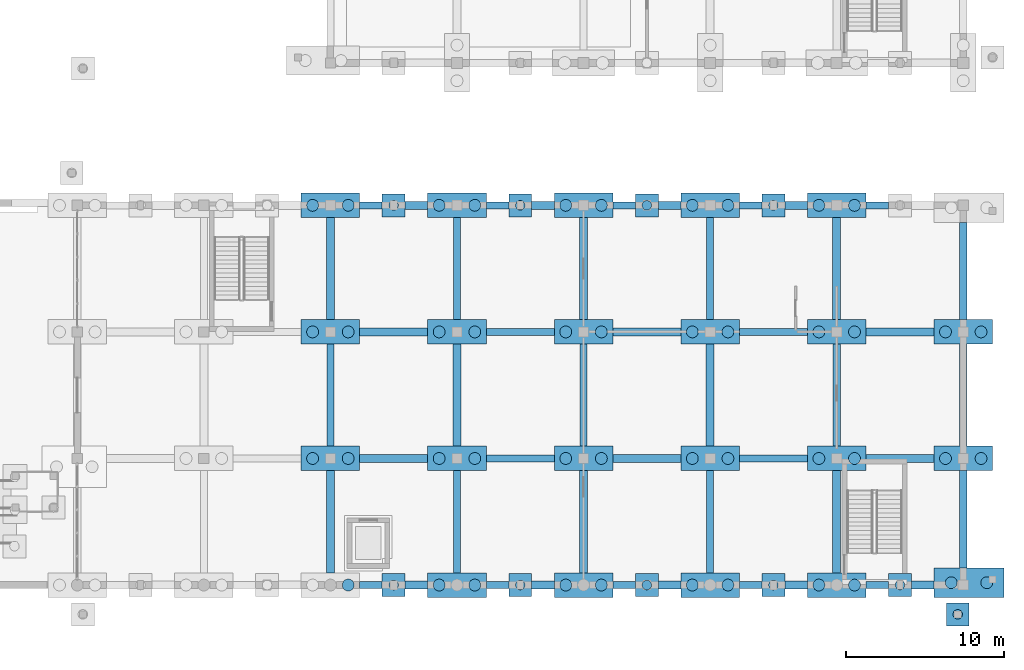
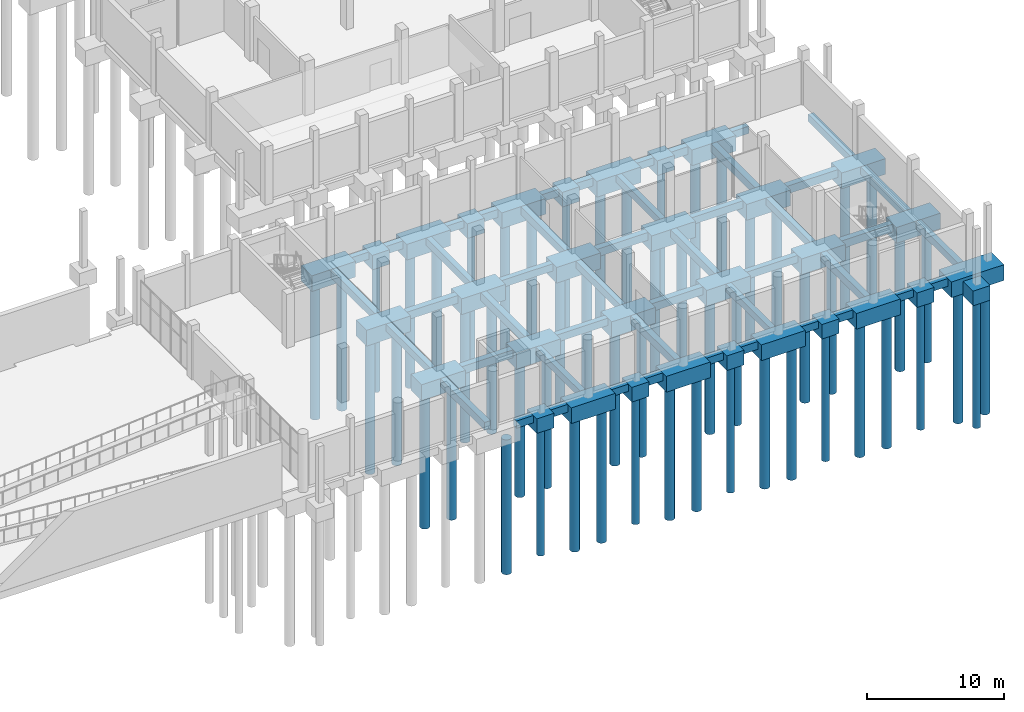
# One storey, part 9 of 52: 79 footings, 55 piles.
"""IFC4 building model written with IfcOpenShell, lengths in metres."""

from ifc_helpers import new_model, si_unit, direction, frame, origin, origin_2d, place, context, subcontext, project, spatial, polyline, rectangle, circle, outline, extrude, material, material_profile, profile_set, type_object, element, save


model = new_model("IFC4")

# Units and contexts
model_context = context("Model", 3, precision=1e-05, world=origin(), true_north=direction((0.0, 1.0)))
body_context = subcontext(model_context, "Body", "Model", "MODEL_VIEW")
ifc_project = project(units=[si_unit("LENGTHUNIT", "METRE"), si_unit("AREAUNIT", "SQUARE_METRE"), si_unit("VOLUMEUNIT", "CUBIC_METRE"), si_unit("PLANEANGLEUNIT", "RADIAN"), si_unit("MASSUNIT", "GRAM", prefix="KILO")], contexts=[model_context])

# Site, building, storey
site_placement = place(None, origin())
site = spatial("IfcSite", under=ifc_project, at=site_placement, CompositionType="ELEMENT")
building_placement = place(site_placement, origin())
building = spatial("IfcBuilding", under=site, at=building_placement, Name="Luwemba Playhouse", CompositionType="ELEMENT")
storey_placement = place(building_placement, frame((0.0, 0.0, -4.800048828125)))
storey = spatial("IfcBuildingStorey", under=building, at=storey_placement, Name="B1", CompositionType="ELEMENT", Elevation=-4.800048828125)

# Footings
ifc_material = material(Name="Concrete C32/40", Category="concrete")
ifc_material_profile_1 = material_profile(ifc_material, rectangle(XDim=0.449951171875, YDim=0.64990234375, at=origin_2d()))
ifc_profile_set_1 = profile_set([ifc_material_profile_1], Name="Concrete C32/40")
footing_type_1 = type_object("IfcFootingType", Name="FTBM-GB1", PredefinedType="FOOTING_BEAM", material=ifc_profile_set_1)
for number, where, z_axis, x_axis, name in (
    (1, (133.85009765625, 3.0, -0.704833984375), (1.0, 0.0, 0.0), (0.0, 1.0, 0.0), "Ground tie-beam 019"),
    (2, (141.85009765625, 3.0, -0.704833984375), (1.0, 0.0, 0.0), (0.0, 1.0, 0.0), "Ground tie-beam 021"),
    (3, (149.85009765625, 3.0, -0.704833984375), (1.0, 0.0, 0.0), (0.0, 1.0, 0.0), "Ground tie-beam 023"),
    (4, (157.85009765625, 3.0, -0.704833984375), (1.0, 0.0, 0.0), (0.0, 1.0, 0.0), "Ground tie-beam 025"),
    (5, (165.85009765625, 3.0, -0.704833984375), (1.0, 0.0, 0.0), (0.0, 1.0, 0.0), "Ground tie-beam 027"),
):
    element("IfcFooting", number, at=place(storey_placement, frame(where, z_axis=z_axis, x_axis=x_axis)), inside=storey, type_object=footing_type_1, Name=name, PredefinedType="FOOTING_BEAM", context=body_context, shape_type="SweptSolid", body=[
        extrude(rectangle(XDim=0.449951171875, YDim=0.64990234375, at=origin_2d()), origin(), (0.0, 0.0, 1.0), 1.4248046875),
    ])
for number, where, z_axis, x_axis, name in (
    (6, (141.85009765625, 11.0, -0.704833984375), (1.0, 0.0, 0.0), (0.0, 1.0, 0.0), "Ground tie-beam 039"),
    (7, (157.85009765625, 11.0, -0.704833984375), (1.0, 0.0, 0.0), (0.0, 1.0, 0.0), "Ground tie-beam 041"),
    (8, (141.85009765625, 19.0, -0.704833984375), (1.0, 0.0, 0.0), (0.0, 1.0, 0.0), "Ground tie-beam 053"),
    (9, (157.85009765625, 19.0, -0.704833984375), (1.0, 0.0, 0.0), (0.0, 1.0, 0.0), "Ground tie-beam 055"),
):
    element("IfcFooting", number, at=place(storey_placement, frame(where, z_axis=z_axis, x_axis=x_axis)), inside=storey, type_object=footing_type_1, Name=name, PredefinedType="FOOTING_BEAM", context=body_context, shape_type="SweptSolid", body=[
        extrude(rectangle(XDim=0.449951171875, YDim=0.64990234375, at=origin_2d()), origin(), (0.0, 0.0, 1.0), 4.2998046875),
    ])
for number, where, z_axis, x_axis, name in (
    (10, (133.85009765625, 27.0, -0.704833984375), (1.0, 0.0, 0.0), (0.0, 1.0, 0.0), "Ground tie-beam 075"),
    (11, (141.85009765625, 27.0, -0.704833984375), (1.0, 0.0, 0.0), (0.0, 1.0, 0.0), "Ground tie-beam 077"),
    (12, (149.85009765625, 27.0, -0.704833984375), (1.0, 0.0, 0.0), (0.0, 1.0, 0.0), "Ground tie-beam 079"),
    (13, (157.85009765625, 27.0, -0.704833984375), (1.0, 0.0, 0.0), (0.0, 1.0, 0.0), "Ground tie-beam 081"),
    (14, (165.85009765625, 27.0, -0.704833984375), (1.0, 0.0, 0.0), (0.0, 1.0, 0.0), "Ground tie-beam 083"),
):
    element("IfcFooting", number, at=place(storey_placement, frame(where, z_axis=z_axis, x_axis=x_axis)), inside=storey, type_object=footing_type_1, Name=name, PredefinedType="FOOTING_BEAM", context=body_context, shape_type="SweptSolid", body=[
        extrude(rectangle(XDim=0.449951171875, YDim=0.64990234375, at=origin_2d()), origin(), (0.0, 0.0, 1.0), 1.4248046875),
    ])
for number, where, z_axis, x_axis, name in (
    (15, (132.0, 11.77490234375, -0.704833984375), (0.0, 1.0, 0.0), (-1.0, 0.0, 0.0), "Ground tie-beam 363"),
    (16, (140.0, 3.77490234375, -0.704833984375), (0.0, 1.0, 0.0), (-1.0, 0.0, 0.0), "Ground tie-beam 373"),
    (17, (140.0, 19.77490234375, -0.704833984375), (0.0, 1.0, 0.0), (-1.0, 0.0, 0.0), "Ground tie-beam 375"),
    (18, (148.0, 11.77490234375, -0.704833984375), (0.0, 1.0, 0.0), (-1.0, 0.0, 0.0), "Ground tie-beam 385"),
    (19, (156.0, 3.77490234375, -0.704833984375), (0.0, 1.0, 0.0), (-1.0, 0.0, 0.0), "Ground tie-beam 395"),
    (20, (156.0, 19.77490234375, -0.704833984375), (0.0, 1.0, 0.0), (-1.0, 0.0, 0.0), "Ground tie-beam 397"),
    (21, (164.0, 11.77490234375, -0.704833984375), (0.0, 1.0, 0.0), (-1.0, 0.0, 0.0), "Ground tie-beam 407"),
):
    element("IfcFooting", number, at=place(storey_placement, frame(where, z_axis=z_axis, x_axis=x_axis)), inside=storey, type_object=footing_type_1, Name=name, PredefinedType="FOOTING_BEAM", context=body_context, shape_type="SweptSolid", body=[
        extrude(rectangle(XDim=0.449951171875, YDim=0.64990234375, at=origin_2d()), origin(), (0.0, 0.0, 1.0), 6.4501953125),
    ])
for number, where, z_axis, x_axis, name in (
    (22, (172.0, 4.074951171875, -0.704833984375), (0.0, 1.0, 0.0), (-1.0, 0.0, 0.0), "Ground tie-beam 417"),
    (23, (172.0, 19.77490234375, -0.704833984375), (0.0, 1.0, 0.0), (-1.0, 0.0, 0.0), "Ground tie-beam 419"),
):
    element("IfcFooting", number, at=place(storey_placement, frame(where, z_axis=z_axis, x_axis=x_axis)), inside=storey, type_object=footing_type_1, Name=name, PredefinedType="FOOTING_BEAM", context=body_context, shape_type="SweptSolid", body=[
        extrude(rectangle(XDim=0.449951171875, YDim=0.64990234375, at=origin_2d()), origin(), (0.0, 0.0, 1.0), 6.150146484375),
    ])
ifc_material_profile_2 = material_profile(ifc_material, rectangle(XDim=0.5, YDim=0.699951171875, at=origin_2d()))
ifc_profile_set_2 = profile_set([ifc_material_profile_2], Name="Concrete C32/40")
footing_type_2 = type_object("IfcFootingType", Name="FTBM-GB2", PredefinedType="FOOTING_BEAM", material=ifc_profile_set_2)
for number, where, z_axis, x_axis, name in (
    (24, (136.72509765625, 3.0, -0.72998046875), (1.0, 0.0, 0.0), (0.0, 1.0, 0.0), "Ground tie-beam 020"),
    (25, (144.72509765625, 3.0, -0.72998046875), (1.0, 0.0, 0.0), (0.0, 1.0, 0.0), "Ground tie-beam 022"),
    (26, (152.72509765625, 3.0, -0.72998046875), (1.0, 0.0, 0.0), (0.0, 1.0, 0.0), "Ground tie-beam 024"),
    (27, (160.72509765625, 3.0, -0.72998046875), (1.0, 0.0, 0.0), (0.0, 1.0, 0.0), "Ground tie-beam 026"),
    (28, (168.72509765625, 3.0, -0.72998046875), (1.0, 0.0, 0.0), (0.0, 1.0, 0.0), "Ground tie-beam 028"),
):
    element("IfcFooting", number, at=place(storey_placement, frame(where, z_axis=z_axis, x_axis=x_axis)), inside=storey, type_object=footing_type_2, Name=name, PredefinedType="FOOTING_BEAM", context=body_context, shape_type="SweptSolid", body=[
        extrude(rectangle(XDim=0.5, YDim=0.699951171875, at=origin_2d()), origin(), (0.0, 0.0, 1.0), 1.4248046875),
    ])
for number, where, z_axis, x_axis, name in (
    (29, (133.85009765625, 11.0, -0.72998046875), (1.0, 0.0, 0.0), (0.0, 1.0, 0.0), "Ground tie-beam 038"),
    (30, (149.85009765625, 11.0, -0.72998046875), (1.0, 0.0, 0.0), (0.0, 1.0, 0.0), "Ground tie-beam 040"),
    (31, (165.85009765625, 11.0, -0.72998046875), (1.0, 0.0, 0.0), (0.0, 1.0, 0.0), "Ground tie-beam 042"),
    (32, (133.85009765625, 19.0, -0.72998046875), (1.0, 0.0, 0.0), (0.0, 1.0, 0.0), "Ground tie-beam 052"),
    (33, (149.85009765625, 19.0, -0.72998046875), (1.0, 0.0, 0.0), (0.0, 1.0, 0.0), "Ground tie-beam 054"),
    (34, (165.85009765625, 19.0, -0.72998046875), (1.0, 0.0, 0.0), (0.0, 1.0, 0.0), "Ground tie-beam 056"),
):
    element("IfcFooting", number, at=place(storey_placement, frame(where, z_axis=z_axis, x_axis=x_axis)), inside=storey, type_object=footing_type_2, Name=name, PredefinedType="FOOTING_BEAM", context=body_context, shape_type="SweptSolid", body=[
        extrude(rectangle(XDim=0.5, YDim=0.699951171875, at=origin_2d()), origin(), (0.0, 0.0, 1.0), 4.2998046875),
    ])
for number, where, z_axis, x_axis, name in (
    (35, (136.72509765625, 27.0, -0.72998046875), (1.0, 0.0, 0.0), (0.0, 1.0, 0.0), "Ground tie-beam 076"),
    (36, (144.72509765625, 27.0, -0.72998046875), (1.0, 0.0, 0.0), (0.0, 1.0, 0.0), "Ground tie-beam 078"),
    (37, (152.72509765625, 27.0, -0.72998046875), (1.0, 0.0, 0.0), (0.0, 1.0, 0.0), "Ground tie-beam 080"),
    (38, (160.72509765625, 27.0, -0.72998046875), (1.0, 0.0, 0.0), (0.0, 1.0, 0.0), "Ground tie-beam 082"),
):
    element("IfcFooting", number, at=place(storey_placement, frame(where, z_axis=z_axis, x_axis=x_axis)), inside=storey, type_object=footing_type_2, Name=name, PredefinedType="FOOTING_BEAM", context=body_context, shape_type="SweptSolid", body=[
        extrude(rectangle(XDim=0.5, YDim=0.699951171875, at=origin_2d()), origin(), (0.0, 0.0, 1.0), 1.4248046875),
    ])
for number, where, z_axis, x_axis, name in (
    (39, (132.0, 3.77490234375, -0.72998046875), (0.0, 1.0, 0.0), (-1.0, 0.0, 0.0), "Ground tie-beam 362"),
    (40, (132.0, 19.77490234375, -0.72998046875), (0.0, 1.0, 0.0), (-1.0, 0.0, 0.0), "Ground tie-beam 364"),
    (41, (140.0, 11.77490234375, -0.72998046875), (0.0, 1.0, 0.0), (-1.0, 0.0, 0.0), "Ground tie-beam 374"),
    (42, (148.0, 3.77490234375, -0.72998046875), (0.0, 1.0, 0.0), (-1.0, 0.0, 0.0), "Ground tie-beam 384"),
    (43, (148.0, 19.77490234375, -0.72998046875), (0.0, 1.0, 0.0), (-1.0, 0.0, 0.0), "Ground tie-beam 386"),
    (44, (156.0, 11.77490234375, -0.72998046875), (0.0, 1.0, 0.0), (-1.0, 0.0, 0.0), "Ground tie-beam 396"),
    (45, (164.0, 3.77490234375, -0.72998046875), (0.0, 1.0, 0.0), (-1.0, 0.0, 0.0), "Ground tie-beam 406"),
    (46, (164.0, 19.77490234375, -0.72998046875), (0.0, 1.0, 0.0), (-1.0, 0.0, 0.0), "Ground tie-beam 408"),
    (47, (172.0, 11.77490234375, -0.72998046875), (0.0, 1.0, 0.0), (-1.0, 0.0, 0.0), "Ground tie-beam 418"),
):
    element("IfcFooting", number, at=place(storey_placement, frame(where, z_axis=z_axis, x_axis=x_axis)), inside=storey, type_object=footing_type_2, Name=name, PredefinedType="FOOTING_BEAM", context=body_context, shape_type="SweptSolid", body=[
        extrude(rectangle(XDim=0.5, YDim=0.699951171875, at=origin_2d()), origin(), (0.0, 0.0, 1.0), 6.4501953125),
    ])
footing_type_3 = type_object("IfcFootingType", Name="FTG-PC02", PredefinedType="PILE_CAP", material=ifc_material)
footing_1_placement = place(storey_placement, frame((0.0, 0.0, -1.679931640625)))
element("IfcFooting", 48, at=footing_1_placement, inside=storey, type_object=footing_type_3, Name="Pile cap 004", PredefinedType="PILE_CAP", context=body_context, shape_type="SweptSolid", body=[
    extrude(outline(polyline([(170.925048828125, 0.425048828125), (172.375, 0.425048828125), (172.375, 1.875), (170.925048828125, 1.875), (170.925048828125, 0.425048828125)])), origin(), (0.0, 0.0, 1.0), 1.300048828125),
])
footing_2_placement = place(storey_placement, frame((0.0, 0.0, -1.679931640625)))
element("IfcFooting", 49, at=footing_2_placement, inside=storey, type_object=footing_type_3, Name="Pile cap 029", PredefinedType="PILE_CAP", context=body_context, shape_type="SweptSolid", body=[
    extrude(outline(polyline([(135.27490234375, 2.27490234375), (136.72509765625, 2.27490234375), (136.72509765625, 3.72509765625), (135.27490234375, 3.72509765625), (135.27490234375, 2.27490234375)])), origin(), (0.0, 0.0, 1.0), 1.300048828125),
])
footing_3_placement = place(storey_placement, frame((0.0, 0.0, -1.679931640625)))
element("IfcFooting", 50, at=footing_3_placement, inside=storey, type_object=footing_type_3, Name="Pile cap 030", PredefinedType="PILE_CAP", context=body_context, shape_type="SweptSolid", body=[
    extrude(outline(polyline([(143.27490234375, 2.27490234375), (144.72509765625, 2.27490234375), (144.72509765625, 3.72509765625), (143.27490234375, 3.72509765625), (143.27490234375, 2.27490234375)])), origin(), (0.0, 0.0, 1.0), 1.300048828125),
])
footing_4_placement = place(storey_placement, frame((0.0, 0.0, -1.679931640625)))
element("IfcFooting", 51, at=footing_4_placement, inside=storey, type_object=footing_type_3, Name="Pile cap 031", PredefinedType="PILE_CAP", context=body_context, shape_type="SweptSolid", body=[
    extrude(outline(polyline([(151.27490234375, 2.27490234375), (152.72509765625, 2.27490234375), (152.72509765625, 3.72509765625), (151.27490234375, 3.72509765625), (151.27490234375, 2.27490234375)])), origin(), (0.0, 0.0, 1.0), 1.300048828125),
])
footing_5_placement = place(storey_placement, frame((0.0, 0.0, -1.679931640625)))
element("IfcFooting", 52, at=footing_5_placement, inside=storey, type_object=footing_type_3, Name="Pile cap 032", PredefinedType="PILE_CAP", context=body_context, shape_type="SweptSolid", body=[
    extrude(outline(polyline([(159.27490234375, 2.27490234375), (160.72509765625, 2.27490234375), (160.72509765625, 3.72509765625), (159.27490234375, 3.72509765625), (159.27490234375, 2.27490234375)])), origin(), (0.0, 0.0, 1.0), 1.300048828125),
])
footing_6_placement = place(storey_placement, frame((0.0, 0.0, -1.679931640625)))
element("IfcFooting", 53, at=footing_6_placement, inside=storey, type_object=footing_type_3, Name="Pile cap 033", PredefinedType="PILE_CAP", context=body_context, shape_type="SweptSolid", body=[
    extrude(outline(polyline([(167.27490234375, 2.27490234375), (168.72509765625, 2.27490234375), (168.72509765625, 3.72509765625), (167.27490234375, 3.72509765625), (167.27490234375, 2.27490234375)])), origin(), (0.0, 0.0, 1.0), 1.300048828125),
])
footing_7_placement = place(storey_placement, frame((0.0, 0.0, -1.679931640625)))
element("IfcFooting", 54, at=footing_7_placement, inside=storey, type_object=footing_type_3, Name="Pile cap 117", PredefinedType="PILE_CAP", context=body_context, shape_type="SweptSolid", body=[
    extrude(outline(polyline([(135.27490234375, 26.27490234375), (136.72509765625, 26.27490234375), (136.72509765625, 27.72509765625), (135.27490234375, 27.72509765625), (135.27490234375, 26.27490234375)])), origin(), (0.0, 0.0, 1.0), 1.300048828125),
])
footing_8_placement = place(storey_placement, frame((0.0, 0.0, -1.679931640625)))
element("IfcFooting", 55, at=footing_8_placement, inside=storey, type_object=footing_type_3, Name="Pile cap 118", PredefinedType="PILE_CAP", context=body_context, shape_type="SweptSolid", body=[
    extrude(outline(polyline([(143.27490234375, 26.27490234375), (144.72509765625, 26.27490234375), (144.72509765625, 27.72509765625), (143.27490234375, 27.72509765625), (143.27490234375, 26.27490234375)])), origin(), (0.0, 0.0, 1.0), 1.300048828125),
])
footing_9_placement = place(storey_placement, frame((0.0, 0.0, -1.679931640625)))
element("IfcFooting", 56, at=footing_9_placement, inside=storey, type_object=footing_type_3, Name="Pile cap 119", PredefinedType="PILE_CAP", context=body_context, shape_type="SweptSolid", body=[
    extrude(outline(polyline([(151.27490234375, 26.27490234375), (152.72509765625, 26.27490234375), (152.72509765625, 27.72509765625), (151.27490234375, 27.72509765625), (151.27490234375, 26.27490234375)])), origin(), (0.0, 0.0, 1.0), 1.300048828125),
])
footing_10_placement = place(storey_placement, frame((0.0, 0.0, -1.679931640625)))
element("IfcFooting", 57, at=footing_10_placement, inside=storey, type_object=footing_type_3, Name="Pile cap 120", PredefinedType="PILE_CAP", context=body_context, shape_type="SweptSolid", body=[
    extrude(outline(polyline([(159.27490234375, 26.27490234375), (160.72509765625, 26.27490234375), (160.72509765625, 27.72509765625), (159.27490234375, 27.72509765625), (159.27490234375, 26.27490234375)])), origin(), (0.0, 0.0, 1.0), 1.300048828125),
])
footing_type_4 = type_object("IfcFootingType", Name="FTG-PC05", PredefinedType="PILE_CAP", material=ifc_material)
footing_11_placement = place(storey_placement, frame((0.0, 0.0, -1.780029296875)))
element("IfcFooting", 58, at=footing_11_placement, inside=storey, type_object=footing_type_4, Name="Pile cap 015", PredefinedType="PILE_CAP", context=body_context, shape_type="SweptSolid", body=[
    extrude(outline(polyline([(138.14990234375, 2.22509765625), (141.85009765625, 2.22509765625), (141.85009765625, 3.77490234375), (138.14990234375, 3.77490234375), (138.14990234375, 2.22509765625)])), origin(), (0.0, 0.0, 1.0), 1.400146484375),
])
footing_12_placement = place(storey_placement, frame((0.0, 0.0, -1.780029296875)))
element("IfcFooting", 59, at=footing_12_placement, inside=storey, type_object=footing_type_4, Name="Pile cap 016", PredefinedType="PILE_CAP", context=body_context, shape_type="SweptSolid", body=[
    extrude(outline(polyline([(146.14990234375, 2.22509765625), (149.85009765625, 2.22509765625), (149.85009765625, 3.77490234375), (146.14990234375, 3.77490234375), (146.14990234375, 2.22509765625)])), origin(), (0.0, 0.0, 1.0), 1.400146484375),
])
footing_13_placement = place(storey_placement, frame((0.0, 0.0, -1.780029296875)))
element("IfcFooting", 60, at=footing_13_placement, inside=storey, type_object=footing_type_4, Name="Pile cap 017", PredefinedType="PILE_CAP", context=body_context, shape_type="SweptSolid", body=[
    extrude(outline(polyline([(154.14990234375, 2.22509765625), (157.85009765625, 2.22509765625), (157.85009765625, 3.77490234375), (154.14990234375, 3.77490234375), (154.14990234375, 2.22509765625)])), origin(), (0.0, 0.0, 1.0), 1.400146484375),
])
footing_14_placement = place(storey_placement, frame((0.0, 0.0, -1.780029296875)))
element("IfcFooting", 61, at=footing_14_placement, inside=storey, type_object=footing_type_4, Name="Pile cap 018", PredefinedType="PILE_CAP", context=body_context, shape_type="SweptSolid", body=[
    extrude(outline(polyline([(162.14990234375, 2.22509765625), (165.85009765625, 2.22509765625), (165.85009765625, 3.77490234375), (162.14990234375, 3.77490234375), (162.14990234375, 2.22509765625)])), origin(), (0.0, 0.0, 1.0), 1.400146484375),
])
footing_15_placement = place(storey_placement, frame((0.0, 0.0, -1.780029296875)))
element("IfcFooting", 62, at=footing_15_placement, inside=storey, type_object=footing_type_4, Name="Pile cap 056", PredefinedType="PILE_CAP", context=body_context, shape_type="SweptSolid", body=[
    extrude(outline(polyline([(130.14990234375, 10.22509765625), (133.85009765625, 10.22509765625), (133.85009765625, 11.77490234375), (130.14990234375, 11.77490234375), (130.14990234375, 10.22509765625)])), origin(), (0.0, 0.0, 1.0), 1.400146484375),
])
footing_16_placement = place(storey_placement, frame((0.0, 0.0, -1.780029296875)))
element("IfcFooting", 63, at=footing_16_placement, inside=storey, type_object=footing_type_4, Name="Pile cap 057", PredefinedType="PILE_CAP", context=body_context, shape_type="SweptSolid", body=[
    extrude(outline(polyline([(138.14990234375, 10.22509765625), (141.85009765625, 10.22509765625), (141.85009765625, 11.77490234375), (138.14990234375, 11.77490234375), (138.14990234375, 10.22509765625)])), origin(), (0.0, 0.0, 1.0), 1.400146484375),
])
footing_17_placement = place(storey_placement, frame((0.0, 0.0, -1.780029296875)))
element("IfcFooting", 64, at=footing_17_placement, inside=storey, type_object=footing_type_4, Name="Pile cap 058", PredefinedType="PILE_CAP", context=body_context, shape_type="SweptSolid", body=[
    extrude(outline(polyline([(146.14990234375, 10.22509765625), (149.85009765625, 10.22509765625), (149.85009765625, 11.77490234375), (146.14990234375, 11.77490234375), (146.14990234375, 10.22509765625)])), origin(), (0.0, 0.0, 1.0), 1.400146484375),
])
footing_18_placement = place(storey_placement, frame((0.0, 0.0, -1.780029296875)))
element("IfcFooting", 65, at=footing_18_placement, inside=storey, type_object=footing_type_4, Name="Pile cap 059", PredefinedType="PILE_CAP", context=body_context, shape_type="SweptSolid", body=[
    extrude(outline(polyline([(154.14990234375, 10.22509765625), (157.85009765625, 10.22509765625), (157.85009765625, 11.77490234375), (154.14990234375, 11.77490234375), (154.14990234375, 10.22509765625)])), origin(), (0.0, 0.0, 1.0), 1.400146484375),
])
footing_19_placement = place(storey_placement, frame((0.0, 0.0, -1.780029296875)))
element("IfcFooting", 66, at=footing_19_placement, inside=storey, type_object=footing_type_4, Name="Pile cap 060", PredefinedType="PILE_CAP", context=body_context, shape_type="SweptSolid", body=[
    extrude(outline(polyline([(162.14990234375, 10.22509765625), (165.85009765625, 10.22509765625), (165.85009765625, 11.77490234375), (162.14990234375, 11.77490234375), (162.14990234375, 10.22509765625)])), origin(), (0.0, 0.0, 1.0), 1.400146484375),
])
footing_20_placement = place(storey_placement, frame((0.0, 0.0, -1.780029296875)))
element("IfcFooting", 67, at=footing_20_placement, inside=storey, type_object=footing_type_4, Name="Pile cap 061", PredefinedType="PILE_CAP", context=body_context, shape_type="SweptSolid", body=[
    extrude(outline(polyline([(170.14990234375, 10.22509765625), (173.85009765625, 10.22509765625), (173.85009765625, 11.77490234375), (170.14990234375, 11.77490234375), (170.14990234375, 10.22509765625)])), origin(), (0.0, 0.0, 1.0), 1.400146484375),
])
footing_21_placement = place(storey_placement, frame((0.0, 0.0, -1.780029296875)))
element("IfcFooting", 68, at=footing_21_placement, inside=storey, type_object=footing_type_4, Name="Pile cap 076", PredefinedType="PILE_CAP", context=body_context, shape_type="SweptSolid", body=[
    extrude(outline(polyline([(130.14990234375, 18.22509765625), (133.85009765625, 18.22509765625), (133.85009765625, 19.77490234375), (130.14990234375, 19.77490234375), (130.14990234375, 18.22509765625)])), origin(), (0.0, 0.0, 1.0), 1.400146484375),
])
footing_22_placement = place(storey_placement, frame((0.0, 0.0, -1.780029296875)))
element("IfcFooting", 69, at=footing_22_placement, inside=storey, type_object=footing_type_4, Name="Pile cap 077", PredefinedType="PILE_CAP", context=body_context, shape_type="SweptSolid", body=[
    extrude(outline(polyline([(138.14990234375, 18.22509765625), (141.85009765625, 18.22509765625), (141.85009765625, 19.77490234375), (138.14990234375, 19.77490234375), (138.14990234375, 18.22509765625)])), origin(), (0.0, 0.0, 1.0), 1.400146484375),
])
footing_23_placement = place(storey_placement, frame((0.0, 0.0, -1.780029296875)))
element("IfcFooting", 70, at=footing_23_placement, inside=storey, type_object=footing_type_4, Name="Pile cap 078", PredefinedType="PILE_CAP", context=body_context, shape_type="SweptSolid", body=[
    extrude(outline(polyline([(146.14990234375, 18.22509765625), (149.85009765625, 18.22509765625), (149.85009765625, 19.77490234375), (146.14990234375, 19.77490234375), (146.14990234375, 18.22509765625)])), origin(), (0.0, 0.0, 1.0), 1.400146484375),
])
footing_24_placement = place(storey_placement, frame((0.0, 0.0, -1.780029296875)))
element("IfcFooting", 71, at=footing_24_placement, inside=storey, type_object=footing_type_4, Name="Pile cap 079", PredefinedType="PILE_CAP", context=body_context, shape_type="SweptSolid", body=[
    extrude(outline(polyline([(154.14990234375, 18.22509765625), (157.85009765625, 18.22509765625), (157.85009765625, 19.77490234375), (154.14990234375, 19.77490234375), (154.14990234375, 18.22509765625)])), origin(), (0.0, 0.0, 1.0), 1.400146484375),
])
footing_25_placement = place(storey_placement, frame((0.0, 0.0, -1.780029296875)))
element("IfcFooting", 72, at=footing_25_placement, inside=storey, type_object=footing_type_4, Name="Pile cap 080", PredefinedType="PILE_CAP", context=body_context, shape_type="SweptSolid", body=[
    extrude(outline(polyline([(162.14990234375, 18.22509765625), (165.85009765625, 18.22509765625), (165.85009765625, 19.77490234375), (162.14990234375, 19.77490234375), (162.14990234375, 18.22509765625)])), origin(), (0.0, 0.0, 1.0), 1.400146484375),
])
footing_26_placement = place(storey_placement, frame((0.0, 0.0, -1.780029296875)))
element("IfcFooting", 73, at=footing_26_placement, inside=storey, type_object=footing_type_4, Name="Pile cap 081", PredefinedType="PILE_CAP", context=body_context, shape_type="SweptSolid", body=[
    extrude(outline(polyline([(170.14990234375, 18.22509765625), (173.85009765625, 18.22509765625), (173.85009765625, 19.77490234375), (170.14990234375, 19.77490234375), (170.14990234375, 18.22509765625)])), origin(), (0.0, 0.0, 1.0), 1.400146484375),
])
footing_27_placement = place(storey_placement, frame((0.0, 0.0, -1.780029296875)))
element("IfcFooting", 74, at=footing_27_placement, inside=storey, type_object=footing_type_4, Name="Pile cap 103", PredefinedType="PILE_CAP", context=body_context, shape_type="SweptSolid", body=[
    extrude(outline(polyline([(130.14990234375, 26.22509765625), (133.85009765625, 26.22509765625), (133.85009765625, 27.77490234375), (130.14990234375, 27.77490234375), (130.14990234375, 26.22509765625)])), origin(), (0.0, 0.0, 1.0), 1.400146484375),
])
footing_28_placement = place(storey_placement, frame((0.0, 0.0, -1.780029296875)))
element("IfcFooting", 75, at=footing_28_placement, inside=storey, type_object=footing_type_4, Name="Pile cap 104", PredefinedType="PILE_CAP", context=body_context, shape_type="SweptSolid", body=[
    extrude(outline(polyline([(138.14990234375, 26.22509765625), (141.85009765625, 26.22509765625), (141.85009765625, 27.77490234375), (138.14990234375, 27.77490234375), (138.14990234375, 26.22509765625)])), origin(), (0.0, 0.0, 1.0), 1.400146484375),
])
footing_29_placement = place(storey_placement, frame((0.0, 0.0, -1.780029296875)))
element("IfcFooting", 76, at=footing_29_placement, inside=storey, type_object=footing_type_4, Name="Pile cap 105", PredefinedType="PILE_CAP", context=body_context, shape_type="SweptSolid", body=[
    extrude(outline(polyline([(146.14990234375, 26.22509765625), (149.85009765625, 26.22509765625), (149.85009765625, 27.77490234375), (146.14990234375, 27.77490234375), (146.14990234375, 26.22509765625)])), origin(), (0.0, 0.0, 1.0), 1.400146484375),
])
footing_30_placement = place(storey_placement, frame((0.0, 0.0, -1.780029296875)))
element("IfcFooting", 77, at=footing_30_placement, inside=storey, type_object=footing_type_4, Name="Pile cap 106", PredefinedType="PILE_CAP", context=body_context, shape_type="SweptSolid", body=[
    extrude(outline(polyline([(154.14990234375, 26.22509765625), (157.85009765625, 26.22509765625), (157.85009765625, 27.77490234375), (154.14990234375, 27.77490234375), (154.14990234375, 26.22509765625)])), origin(), (0.0, 0.0, 1.0), 1.400146484375),
])
footing_31_placement = place(storey_placement, frame((0.0, 0.0, -1.780029296875)))
element("IfcFooting", 78, at=footing_31_placement, inside=storey, type_object=footing_type_4, Name="Pile cap 107", PredefinedType="PILE_CAP", context=body_context, shape_type="SweptSolid", body=[
    extrude(outline(polyline([(162.14990234375, 26.22509765625), (165.85009765625, 26.22509765625), (165.85009765625, 27.77490234375), (162.14990234375, 27.77490234375), (162.14990234375, 26.22509765625)])), origin(), (0.0, 0.0, 1.0), 1.400146484375),
])
footing_type_5 = type_object("IfcFootingType", Name="FTG-PC06", PredefinedType="PILE_CAP", material=ifc_material)
footing_32_placement = place(storey_placement, frame((0.0, 0.0, -1.780029296875)))
element("IfcFooting", 79, at=footing_32_placement, inside=storey, type_object=footing_type_5, Name="Pile cap 019", PredefinedType="PILE_CAP", context=body_context, shape_type="SweptSolid", body=[
    extrude(outline(polyline([(170.14990234375, 2.22509765625), (174.574951171875, 2.22509765625), (174.574951171875, 4.074951171875), (170.14990234375, 4.074951171875), (170.14990234375, 2.22509765625)])), origin(), (0.0, 0.0, 1.0), 1.400146484375),
])

# Piles
ifc_material_profile_3 = material_profile(ifc_material, circle(Radius=0.300048828125, at=origin_2d()))
ifc_profile_set_3 = profile_set([ifc_material_profile_3], Name="Concrete C32/40")
pile_type_1 = type_object("IfcPileType", Name="PILE-BP1", PredefinedType="BORED", material=ifc_profile_set_3)
for number, where, z_axis, x_axis, name in (
    (80, (171.64990234375, 1.14990234375, -1.579833984375), (0.0, 0.0, -1.0), (1.0, 0.0, 0.0), "Bored pile 005"),
    (81, (136.0, 3.0, -1.579833984375), (0.0, 0.0, -1.0), (1.0, 0.0, 0.0), "Bored pile 045"),
    (82, (144.0, 3.0, -1.579833984375), (0.0, 0.0, -1.0), (1.0, 0.0, 0.0), "Bored pile 046"),
    (83, (152.0, 3.0, -1.579833984375), (0.0, 0.0, -1.0), (1.0, 0.0, 0.0), "Bored pile 047"),
    (84, (160.0, 3.0, -1.579833984375), (0.0, 0.0, -1.0), (1.0, 0.0, 0.0), "Bored pile 048"),
    (85, (168.0, 3.0, -1.579833984375), (0.0, 0.0, -1.0), (1.0, 0.0, 0.0), "Bored pile 049"),
    (86, (136.0, 27.0, -1.579833984375), (0.0, 0.0, -1.0), (1.0, 0.0, 0.0), "Bored pile 189"),
    (87, (144.0, 27.0, -1.579833984375), (0.0, 0.0, -1.0), (1.0, 0.0, 0.0), "Bored pile 190"),
    (88, (152.0, 27.0, -1.579833984375), (0.0, 0.0, -1.0), (1.0, 0.0, 0.0), "Bored pile 191"),
    (89, (160.0, 27.0, -1.579833984375), (0.0, 0.0, -1.0), (1.0, 0.0, 0.0), "Bored pile 192"),
):
    element("IfcPile", number, at=place(storey_placement, frame(where, z_axis=z_axis, x_axis=x_axis)), inside=storey, type_object=pile_type_1, Name=name, PredefinedType="BORED", context=body_context, shape_type="SweptSolid", body=[
        extrude(circle(Radius=0.300048828125, at=origin_2d()), origin(), (0.0, 0.0, 1.0), 11.5),
    ])
ifc_material_profile_4 = material_profile(ifc_material, circle(Radius=0.375, at=origin_2d()))
ifc_profile_set_4 = profile_set([ifc_material_profile_4], Name="Concrete C32/40")
pile_type_2 = type_object("IfcPileType", Name="PILE-BP2", PredefinedType="BORED", material=ifc_profile_set_4)
for number, where, z_axis, x_axis, name in (
    (90, (133.125, 3.0, -1.679931640625), (0.0, 0.0, -1.0), (1.0, 0.0, 0.0), "Bored pile 025"),
    (91, (138.875, 3.0, -1.679931640625), (0.0, 0.0, -1.0), (1.0, 0.0, 0.0), "Bored pile 026"),
    (92, (141.125, 3.0, -1.679931640625), (0.0, 0.0, -1.0), (1.0, 0.0, 0.0), "Bored pile 027"),
    (93, (146.875, 3.0, -1.679931640625), (0.0, 0.0, -1.0), (1.0, 0.0, 0.0), "Bored pile 028"),
    (94, (149.125, 3.0, -1.679931640625), (0.0, 0.0, -1.0), (1.0, 0.0, 0.0), "Bored pile 029"),
    (95, (154.875, 3.0, -1.679931640625), (0.0, 0.0, -1.0), (1.0, 0.0, 0.0), "Bored pile 030"),
    (96, (157.125, 3.0, -1.679931640625), (0.0, 0.0, -1.0), (1.0, 0.0, 0.0), "Bored pile 031"),
    (97, (162.875, 3.0, -1.679931640625), (0.0, 0.0, -1.0), (1.0, 0.0, 0.0), "Bored pile 032"),
    (98, (165.125, 3.0, -1.679931640625), (0.0, 0.0, -1.0), (1.0, 0.0, 0.0), "Bored pile 033"),
    (99, (171.237548828125, 3.14990234375, -1.679931640625), (0.0, 0.0, -1.0), (1.0, 0.0, 0.0), "Bored pile 034"),
    (100, (173.487548828125, 3.14990234375, -1.679931640625), (0.0, 0.0, -1.0), (1.0, 0.0, 0.0), "Bored pile 035"),
    (101, (130.875, 11.0, -1.679931640625), (0.0, 0.0, -1.0), (1.0, 0.0, 0.0), "Bored pile 084"),
    (102, (133.125, 11.0, -1.679931640625), (0.0, 0.0, -1.0), (1.0, 0.0, 0.0), "Bored pile 085"),
    (103, (138.875, 11.0, -1.679931640625), (0.0, 0.0, -1.0), (1.0, 0.0, 0.0), "Bored pile 086"),
    (104, (141.125, 11.0, -1.679931640625), (0.0, 0.0, -1.0), (1.0, 0.0, 0.0), "Bored pile 087"),
    (105, (146.875, 11.0, -1.679931640625), (0.0, 0.0, -1.0), (1.0, 0.0, 0.0), "Bored pile 088"),
    (106, (149.125, 11.0, -1.679931640625), (0.0, 0.0, -1.0), (1.0, 0.0, 0.0), "Bored pile 089"),
    (107, (154.875, 11.0, -1.679931640625), (0.0, 0.0, -1.0), (1.0, 0.0, 0.0), "Bored pile 090"),
    (108, (157.125, 11.0, -1.679931640625), (0.0, 0.0, -1.0), (1.0, 0.0, 0.0), "Bored pile 091"),
    (109, (162.875, 11.0, -1.679931640625), (0.0, 0.0, -1.0), (1.0, 0.0, 0.0), "Bored pile 092"),
    (110, (165.125, 11.0, -1.679931640625), (0.0, 0.0, -1.0), (1.0, 0.0, 0.0), "Bored pile 093"),
    (111, (170.875, 11.0, -1.679931640625), (0.0, 0.0, -1.0), (1.0, 0.0, 0.0), "Bored pile 094"),
    (112, (173.125, 11.0, -1.679931640625), (0.0, 0.0, -1.0), (1.0, 0.0, 0.0), "Bored pile 095"),
    (113, (130.875, 19.0, -1.679931640625), (0.0, 0.0, -1.0), (1.0, 0.0, 0.0), "Bored pile 120"),
    (114, (133.125, 19.0, -1.679931640625), (0.0, 0.0, -1.0), (1.0, 0.0, 0.0), "Bored pile 121"),
    (115, (138.875, 19.0, -1.679931640625), (0.0, 0.0, -1.0), (1.0, 0.0, 0.0), "Bored pile 122"),
    (116, (141.125, 19.0, -1.679931640625), (0.0, 0.0, -1.0), (1.0, 0.0, 0.0), "Bored pile 123"),
    (117, (146.875, 19.0, -1.679931640625), (0.0, 0.0, -1.0), (1.0, 0.0, 0.0), "Bored pile 124"),
    (118, (149.125, 19.0, -1.679931640625), (0.0, 0.0, -1.0), (1.0, 0.0, 0.0), "Bored pile 125"),
    (119, (154.875, 19.0, -1.679931640625), (0.0, 0.0, -1.0), (1.0, 0.0, 0.0), "Bored pile 126"),
    (120, (157.125, 19.0, -1.679931640625), (0.0, 0.0, -1.0), (1.0, 0.0, 0.0), "Bored pile 127"),
    (121, (162.875, 19.0, -1.679931640625), (0.0, 0.0, -1.0), (1.0, 0.0, 0.0), "Bored pile 128"),
    (122, (165.125, 19.0, -1.679931640625), (0.0, 0.0, -1.0), (1.0, 0.0, 0.0), "Bored pile 129"),
    (123, (170.875, 19.0, -1.679931640625), (0.0, 0.0, -1.0), (1.0, 0.0, 0.0), "Bored pile 130"),
    (124, (173.125, 19.0, -1.679931640625), (0.0, 0.0, -1.0), (1.0, 0.0, 0.0), "Bored pile 131"),
    (125, (130.875, 27.0, -1.679931640625), (0.0, 0.0, -1.0), (1.0, 0.0, 0.0), "Bored pile 170"),
    (126, (133.125, 27.0, -1.679931640625), (0.0, 0.0, -1.0), (1.0, 0.0, 0.0), "Bored pile 171"),
    (127, (138.875, 27.0, -1.679931640625), (0.0, 0.0, -1.0), (1.0, 0.0, 0.0), "Bored pile 172"),
    (128, (141.125, 27.0, -1.679931640625), (0.0, 0.0, -1.0), (1.0, 0.0, 0.0), "Bored pile 173"),
    (129, (146.875, 27.0, -1.679931640625), (0.0, 0.0, -1.0), (1.0, 0.0, 0.0), "Bored pile 174"),
    (130, (149.125, 27.0, -1.679931640625), (0.0, 0.0, -1.0), (1.0, 0.0, 0.0), "Bored pile 175"),
    (131, (154.875, 27.0, -1.679931640625), (0.0, 0.0, -1.0), (1.0, 0.0, 0.0), "Bored pile 176"),
    (132, (157.125, 27.0, -1.679931640625), (0.0, 0.0, -1.0), (1.0, 0.0, 0.0), "Bored pile 177"),
    (133, (162.875, 27.0, -1.679931640625), (0.0, 0.0, -1.0), (1.0, 0.0, 0.0), "Bored pile 178"),
    (134, (165.125, 27.0, -1.679931640625), (0.0, 0.0, -1.0), (1.0, 0.0, 0.0), "Bored pile 179"),
):
    element("IfcPile", number, at=place(storey_placement, frame(where, z_axis=z_axis, x_axis=x_axis)), inside=storey, type_object=pile_type_2, Name=name, PredefinedType="BORED", context=body_context, shape_type="SweptSolid", body=[
        extrude(circle(Radius=0.375, at=origin_2d()), origin(), (0.0, 0.0, 1.0), 12.0),
    ])

save(model, "model.ifc")
